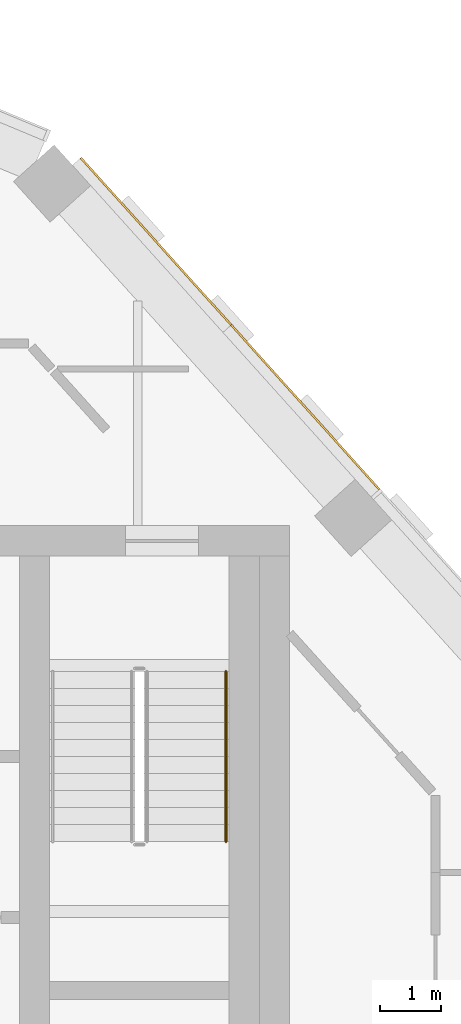
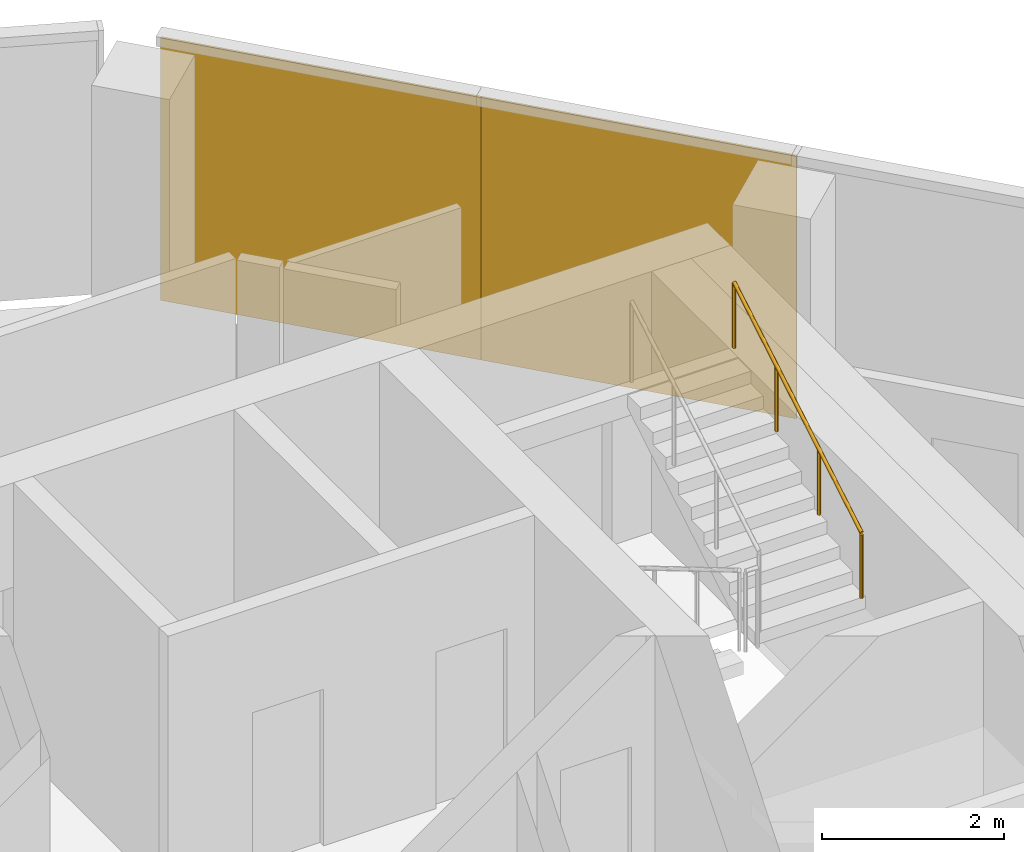
# One storey, part 21 of 22: 2 coverings, 1 railing, 1 element without a shape of its own.
"""IFC4 building model written with IfcOpenShell, lengths in metres."""

import ifcopenshell
import ifcopenshell.guid

model = None  # the IFC model being written
_history = None  # IfcOwnerHistory: only IFC2X3 demands one
_inside = {}  # id of a spatial element -> (the spatial element, [elements in it])
_under = {}  # id of a project, library or spatial element -> (it, [spatial elements below it])
_declared = {}  # id of a project -> (the project, [libraries it declares])
_typed = {}  # id of a type object -> (the type object, [elements of that type])
_made_of = {}  # id of a material, layer set ... -> (it, [elements and type objects made of it])


def new_model(schema):
    """Start an empty IFC model of exactly this schema.

    Asked for "IFC4X3", IfcOpenShell would pick the latest addendum, in which some entities
    have other attributes; the version numbers below select the first issue.
    IFC2X3 requires an IfcOwnerHistory on every rooted entity: one is made here for all.
    """
    global model, _history
    if schema == "IFC4X3":
        model = ifcopenshell.file(schema_version=(4, 3, 0, 0))
    else:
        model = ifcopenshell.file(schema=schema)
    _inside.clear()
    _under.clear()
    _declared.clear()
    _typed.clear()
    _made_of.clear()
    _history = None
    if model.schema == "IFC2X3":
        org = make("IfcOrganization", Name="unknown")
        user = make(
            "IfcPersonAndOrganization",
            ThePerson=make("IfcPerson", FamilyName="unknown"),
            TheOrganization=org,
        )
        app = make(
            "IfcApplication",
            ApplicationDeveloper=org,
            Version="unknown",
            ApplicationFullName="unknown",
            ApplicationIdentifier="unknown",
        )
        _history = make(
            "IfcOwnerHistory",
            OwningUser=user,
            OwningApplication=app,
            ChangeAction="ADDED",
            CreationDate=0,
        )
    return model


def make(cls, **values):
    """One entity of the class cls with the attributes given. An attribute that is None is left unset."""
    return model.create_entity(
        cls, **{name: value for name, value in values.items() if value is not None}
    )


def rooted(cls, **values):
    """An entity with a GlobalId (a new one), such as an element, a storey or a relation."""
    return make(cls, GlobalId=ifcopenshell.guid.new(), OwnerHistory=_history, **values)


def si_unit(unit_type, name, prefix=None):
    """IfcSIUnit, for example si_unit("LENGTHUNIT", "METRE", prefix="MILLI")."""
    return make("IfcSIUnit", UnitType=unit_type, Prefix=prefix, Name=name)


def assignment(units):
    """IfcUnitAssignment: the units of a project."""
    return None if units is None else make("IfcUnitAssignment", Units=units)


def point(xyz):
    """IfcCartesianPoint."""
    return None if xyz is None else make("IfcCartesianPoint", Coordinates=xyz)


def direction(xyz):
    """IfcDirection."""
    return None if xyz is None else make("IfcDirection", DirectionRatios=xyz)


def frame(location, z_axis=None, x_axis=None):
    """IfcAxis2Placement3D, a coordinate frame: its origin and axes. An axis left out is left unset."""
    return make(
        "IfcAxis2Placement3D",
        Location=point(location),
        Axis=direction(z_axis),
        RefDirection=direction(x_axis),
    )


def frame_2d(location, x_axis=None):
    """IfcAxis2Placement2D, a coordinate frame in the plane: its origin and x axis."""
    return make(
        "IfcAxis2Placement2D", Location=point(location), RefDirection=direction(x_axis)
    )


def origin():
    """The frame at (0, 0, 0) with its axes left unset."""
    return frame((0.0, 0.0, 0.0))


def origin_2d():
    """The frame at (0, 0) in the plane with its x axis left unset."""
    return frame_2d((0.0, 0.0))


def place(relative_to, where):
    """IfcLocalPlacement: puts the frame where relative to a parent placement (None: the world)."""
    return make(
        "IfcLocalPlacement", PlacementRelTo=relative_to, RelativePlacement=where
    )


def context(
    kind, dimensions, precision=None, world=None, true_north=None, identifier=None
):
    """IfcGeometricRepresentationContext, for example the 3D "Model" context."""
    return make(
        "IfcGeometricRepresentationContext",
        ContextIdentifier=identifier,
        ContextType=kind,
        CoordinateSpaceDimension=dimensions,
        Precision=precision,
        WorldCoordinateSystem=world,
        TrueNorth=true_north,
    )


def subcontext(parent, identifier, kind, view, scale=None):
    """IfcGeometricRepresentationSubContext, for example "Body" below "Model"."""
    return make(
        "IfcGeometricRepresentationSubContext",
        ContextIdentifier=identifier,
        ContextType=kind,
        ParentContext=parent,
        TargetScale=scale,
        TargetView=view,
    )


def project(units=None, contexts=None):
    """IfcProject with its units and contexts."""
    return rooted(
        "IfcProject",
        Name="project",
        RepresentationContexts=contexts,
        UnitsInContext=assignment(units),
    )


def spatial(cls, under=None, at=None, **own):
    """A site, building, storey or space (cls), placed at a placement, below another one or the project."""
    s = rooted(cls, ObjectPlacement=at, **own)
    if under is not None:
        _under.setdefault(under.id(), (under, []))[1].append(s)
    return s


def profile(cls, at=None, kind="AREA", **sizes):
    """A parametric profile (cls). Its sizes go by their IFC names, for example OverallWidth=200.0."""
    return make(cls, ProfileType=kind, Position=at, **sizes)


def rectangle(**sizes):
    """IfcRectangleProfileDef."""
    return profile("IfcRectangleProfileDef", **sizes)


def circle(**sizes):
    """IfcCircleProfileDef."""
    return profile("IfcCircleProfileDef", **sizes)


def extrude(swept, where, along, depth):
    """IfcExtrudedAreaSolid: the profile swept, set in the frame where, extruded along a direction by depth."""
    return make(
        "IfcExtrudedAreaSolid",
        SweptArea=swept,
        Position=where,
        ExtrudedDirection=direction(along),
        Depth=depth,
    )


def shape(context_of_items, identifier, shape_type, items):
    """IfcShapeRepresentation: the items that make up one representation, for example the "Body"."""
    return make(
        "IfcShapeRepresentation",
        ContextOfItems=context_of_items,
        RepresentationIdentifier=identifier,
        RepresentationType=shape_type,
        Items=items,
    )


def material(Name=None, Category=None):
    """IfcMaterial."""
    return make("IfcMaterial", Name=Name, Category=Category)


def layer(
    of_material, thickness, ventilated=None, Name=None, Category=None, Priority=None
):
    """IfcMaterialLayer: one layer of a wall or slab, of a material (None: an air gap)."""
    return make(
        "IfcMaterialLayer",
        Material=of_material,
        LayerThickness=thickness,
        IsVentilated=ventilated,
        Name=Name,
        Category=Category,
        Priority=Priority,
    )


def layer_set(layers, Name=None):
    """IfcMaterialLayerSet."""
    return make("IfcMaterialLayerSet", MaterialLayers=layers, LayerSetName=Name)


def made_of(thing, what):
    """Note that an element or type object is made of a material, layer set ...; save() writes the relation."""
    if what is not None:
        _made_of.setdefault(what.id(), (what, []))[1].append(thing)
    return thing


def type_object(cls, material=None, **own):
    """A type object (cls), such as IfcWallType, which elements share."""
    return made_of(rooted(cls, **own), material)


def element(
    cls,
    number,
    at=None,
    inside=None,
    cuts=None,
    type_object=None,
    material=None,
    context=None,
    identifier="Body",
    shape_type=None,
    held_by="IfcProductDefinitionShape",
    body=None,
    shapes=None,
    **own,
):
    """One element of the class cls, such as IfcWall. Its Tag is "e" and its number.

    at: its placement. inside: the storey or other place that contains it. cuts: it is an
    opening in that element (IfcRelVoidsElement). A single representation is given by context,
    identifier, shape_type and body (its items); several are given by shapes. held_by: the class
    of the entity that holds the representations. save() writes the other relations.
    """
    e = rooted(cls, Tag="e%d" % number, ObjectPlacement=at, **own)
    if body is not None:
        shapes = [shape(context, identifier, shape_type, body)]
    if shapes is not None:
        e.Representation = make(held_by, Representations=shapes)
    if inside is not None:
        _inside.setdefault(inside.id(), (inside, []))[1].append(e)
    if cuts is not None:
        rooted(
            "IfcRelVoidsElement", RelatingBuildingElement=cuts, RelatedOpeningElement=e
        )
    if type_object is not None:
        _typed.setdefault(type_object.id(), (type_object, []))[1].append(e)
    return made_of(e, material)


def aggregate(whole, parts):
    """IfcRelAggregates: a whole, such as a stair, and the parts it consists of."""
    return rooted("IfcRelAggregates", RelatingObject=whole, RelatedObjects=parts)


def save(model, path):
    """Write the relations noted so far, then the file.

    IfcRelAggregates (storeys below a building ...), IfcRelContainedInSpatialStructure (elements
    in a storey), IfcRelDefinesByType, IfcRelAssociatesMaterial and IfcRelDeclares: one each for
    every whole, place, type object, material and project.
    """
    for whole, parts in _under.values():
        aggregate(whole, parts)
    for where, things in _inside.values():
        rooted(
            "IfcRelContainedInSpatialStructure",
            RelatedElements=things,
            RelatingStructure=where,
        )
    for kind, things in _typed.values():
        rooted("IfcRelDefinesByType", RelatedObjects=things, RelatingType=kind)
    for what, things in _made_of.values():
        rooted("IfcRelAssociatesMaterial", RelatedObjects=things, RelatingMaterial=what)
    for by, libraries in _declared.values():
        rooted("IfcRelDeclares", RelatingContext=by, RelatedDefinitions=libraries)
    model.write(path)


model = new_model("IFC4")

# Units and contexts
model_context = context("Model", 3, precision=1e-05, world=origin(), true_north=direction((0.0, 1.0)))
body_context = subcontext(model_context, "Body", "Model", "MODEL_VIEW")
ifc_project = project(units=[si_unit("LENGTHUNIT", "METRE"), si_unit("AREAUNIT", "SQUARE_METRE"), si_unit("VOLUMEUNIT", "CUBIC_METRE"), si_unit("PLANEANGLEUNIT", "RADIAN"), si_unit("MASSUNIT", "GRAM", prefix="KILO")], contexts=[model_context])

# Site, building, storey
site_placement = place(None, origin())
site = spatial("IfcSite", under=ifc_project, at=site_placement, CompositionType="ELEMENT")
building_placement = place(site_placement, origin())
building = spatial("IfcBuilding", under=site, at=building_placement, Name="Isthmus Gate Tower", CompositionType="ELEMENT")
storey_placement = place(building_placement, frame((0.0, 0.0, 264.60009765625)))
storey = spatial("IfcBuildingStorey", under=building, at=storey_placement, Name="L67", CompositionType="ELEMENT", Elevation=264.60009765625)

# Curtain wall, coverings
ifc_material_1 = material(Name="Aluminium, pale champagne anodised", Category="aluminium")
ifc_layer_1 = layer(ifc_material_1, 0.199951171875)
ifc_layer_set_1 = layer_set([ifc_layer_1], Name="CW-1 UNITISED CURTAIN WALL 200 DEEP")
curtain_wall_type = type_object("IfcCurtainWallType", Name="CW-1 UNITISED CURTAIN WALL 200 DEEP", PredefinedType="NOTDEFINED", material=ifc_layer_set_1)
curtain_wall_placement = place(storey_placement, origin())
curtain_wall = element("IfcCurtainWall", 1, at=curtain_wall_placement, inside=storey, type_object=curtain_wall_type, Name="CW-1 NE L67", PredefinedType="NOTDEFINED")
ifc_material_2 = material(Name="Aluminium composite panel, pale champagne anodised", Category="aluminium")
ifc_layer_2 = layer(ifc_material_2, 0.031982421875)
ifc_layer_set_2 = layer_set([ifc_layer_2], Name="CW-1 PALE METAL PANEL 32")
covering_type = type_object("IfcCoveringType", Name="CW-1 PALE METAL PANEL 32", PredefinedType="CLADDING", material=ifc_layer_set_2)
covering_1_placement = place(storey_placement, frame((15.257568359375, 16.95166015625, 0.0), z_axis=(0.0, 0.0, 1.0), x_axis=(-0.669130606359, 0.743144825477, 0.0)))
covering_1 = element("IfcCovering", 2, at=covering_1_placement, type_object=covering_type, Name="CW-1 pale metal panel", PredefinedType="CLADDING", context=body_context, shape_type="SweptSolid", body=[
    extrude(rectangle(XDim=3.643310546875, YDim=0.031982421875, at=origin_2d()), origin(), (0.0, 0.0, 1.0), 3.52001953125),
])
covering_2_placement = place(storey_placement, frame((12.799560546875, 19.681396484375, 0.0), z_axis=(0.0, 0.0, 1.0), x_axis=(-0.669130606359, 0.743144825477, 0.0)))
covering_2 = element("IfcCovering", 3, at=covering_2_placement, type_object=covering_type, Name="CW-1 pale metal panel", PredefinedType="CLADDING", context=body_context, shape_type="SweptSolid", body=[
    extrude(rectangle(XDim=3.703369140625, YDim=0.031982421875, at=origin_2d()), origin(), (0.0, 0.0, 1.0), 3.52001953125),
])
aggregate(curtain_wall, [covering_1, covering_2])

# Railing
ifc_material_3 = material(Name="Stainless steel handrail", Category="steel")
railing_type = type_object("IfcRailingType", Name="STAIR HANDRAIL 900", PredefinedType="HANDRAIL", material=ifc_material_3)
railing_placement = place(storey_placement, frame((13.949951171875, 9.800048828125, 1.99072265625)))
element("IfcRailing", 4, at=railing_placement, inside=storey, type_object=railing_type, Name="L67 ST2 stair handrail 2", PredefinedType="HANDRAIL", context=body_context, shape_type="SweptSolid", body=[
    extrude(circle(Radius=0.02392578125, at=origin_2d()), frame((0.0, 0.0, 0.8759765625), z_axis=(0.0, 0.860306154799, 0.50977771628), x_axis=(-1.0, 0.0, 0.0)), (0.0, 0.0, 1.0), 3.254638671875),
    extrude(circle(Radius=0.02099609375, at=origin_2d()), origin(), (0.0, 0.0, 1.0), 0.851806640625),
    extrude(circle(Radius=0.02099609375, at=origin_2d()), frame((0.0, 0.933349609375, 0.552978515625)), (0.0, 0.0, 1.0), 0.851806640625),
    extrude(circle(Radius=0.02099609375, at=origin_2d()), frame((0.0, 1.86669921875, 1.106201171875)), (0.0, 0.0, 1.0), 0.851806640625),
    extrude(circle(Radius=0.02099609375, at=origin_2d()), frame((0.0, 2.800048828125, 1.6591796875)), (0.0, 0.0, 1.0), 0.851806640625),
])

save(model, "model.ifc")
